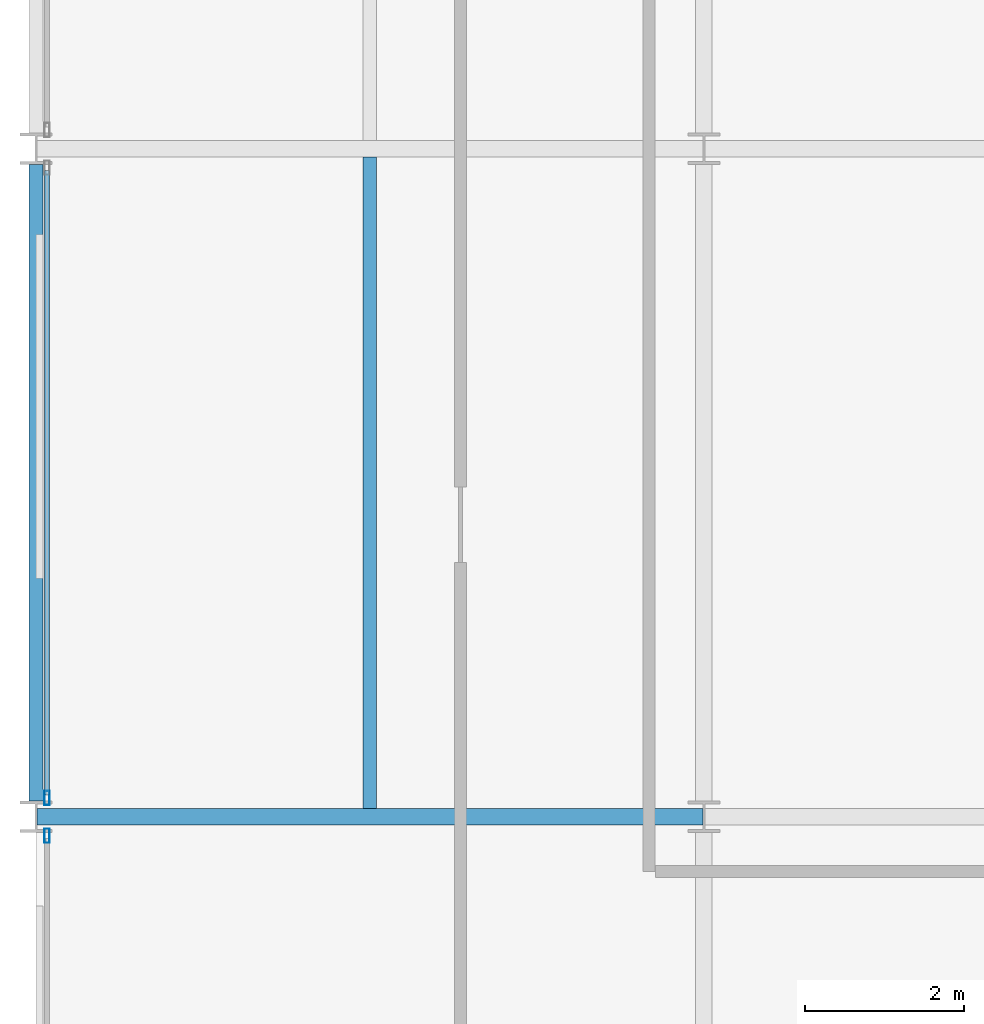
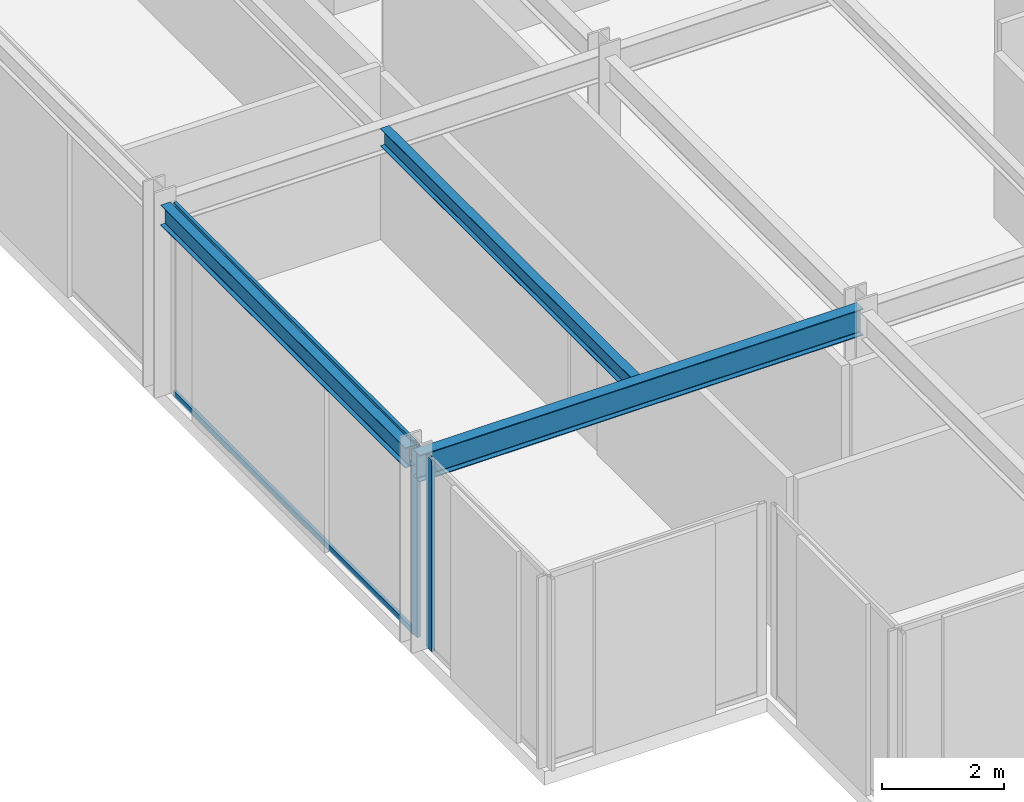
# One storey, part 4 of 29: 4 members, 3 beams, 2 elements without a shape of their own.
"""IFC4 building model written with IfcOpenShell, lengths in metres."""

from ifc_helpers import new_model, si_unit, direction, frame, origin, origin_2d, place, context, subcontext, project, spatial, hollow_rectangle, i_section, extrude, material, layer, layer_set, material_profile, profile_set, type_object, element, aggregate, save


model = new_model("IFC4")

# Units and contexts
model_context = context("Model", 3, precision=1e-05, world=origin(), true_north=direction((0.0, 1.0)))
body_context = subcontext(model_context, "Body", "Model", "MODEL_VIEW")
ifc_project = project(units=[si_unit("LENGTHUNIT", "METRE"), si_unit("AREAUNIT", "SQUARE_METRE"), si_unit("VOLUMEUNIT", "CUBIC_METRE"), si_unit("PLANEANGLEUNIT", "RADIAN"), si_unit("MASSUNIT", "GRAM", prefix="KILO")], contexts=[model_context])

# Site, building, storey
site_placement = place(None, origin())
site = spatial("IfcSite", under=ifc_project, at=site_placement, CompositionType="ELEMENT")
building_placement = place(site_placement, origin())
building = spatial("IfcBuilding", under=site, at=building_placement, Name="Nerrivon Quay Data Exchange", CompositionType="ELEMENT")
storey_placement = place(building_placement, frame((0.0, 0.0, 121.300048828125)))
storey = spatial("IfcBuildingStorey", under=building, at=storey_placement, Name="L28", CompositionType="ELEMENT", Elevation=121.300048828125)

# Beams
ifc_material_1 = material(Name="Steel Grade 350", Category="steel")
ifc_material_profile_1 = material_profile(ifc_material_1, i_section(OverallWidth=0.208984375, OverallDepth=0.532958984375, WebThickness=0.01025390625, FlangeThickness=0.015625, FilletRadius=0.013916015625, at=origin_2d()), Name="530UB92.4")
ifc_profile_set_1 = profile_set([ifc_material_profile_1], Name="Steel Grade 350")
beam_type_1 = type_object("IfcBeamType", Name="BM-G3-530UB92", PredefinedType="BEAM", material=ifc_profile_set_1)
beam_1_placement = place(storey_placement, frame((0.012451171875, 8.39990234375, 3.558349609375), z_axis=(1.0, 0.0, 0.0), x_axis=(0.0, 1.0, 0.0)))
element("IfcBeam", 1, at=beam_1_placement, inside=storey, type_object=beam_type_1, Name="L28 EW Girder Y=8.4 (0.0..8.4)", PredefinedType="BEAM", context=body_context, shape_type="SweptSolid", body=[
    extrude(i_section(OverallWidth=0.208984375, OverallDepth=0.532958984375, WebThickness=0.01025390625, FlangeThickness=0.015625, FilletRadius=0.013916015625, at=origin_2d()), origin(), (0.0, 0.0, 1.0), 8.375),
])
ifc_material_profile_2 = material_profile(ifc_material_1, i_section(OverallWidth=0.1708984375, OverallDepth=0.35595703125, WebThickness=0.00732421875, FlangeThickness=0.011474609375, FilletRadius=0.011474609375, at=origin_2d()), Name="360UB50.7")
ifc_profile_set_2 = profile_set([ifc_material_profile_2], Name="Steel Grade 350")
beam_type_2 = type_object("IfcBeamType", Name="BM-J4-360UB51", PredefinedType="JOIST", material=ifc_profile_set_2)
beam_2_placement = place(storey_placement, frame((4.199951171875, 8.50439453125, 3.64697265625), z_axis=(0.0, 1.0, 0.0), x_axis=(-1.0, 0.0, 0.0)))
element("IfcBeam", 2, at=beam_2_placement, inside=storey, type_object=beam_type_2, Name="L28 Secondary Joist X=4.2 (8.4..16.8)", PredefinedType="JOIST", context=body_context, shape_type="SweptSolid", body=[
    extrude(i_section(OverallWidth=0.1708984375, OverallDepth=0.35595703125, WebThickness=0.00732421875, FlangeThickness=0.011474609375, FilletRadius=0.011474609375, at=origin_2d()), origin(), (0.0, 0.0, 1.0), 8.191162109375),
])
ifc_material_profile_3 = material_profile(ifc_material_1, i_section(OverallWidth=0.177978515625, OverallDepth=0.403076171875, WebThickness=0.007568359375, FlangeThickness=0.010986328125, FilletRadius=0.011474609375, at=origin_2d()), Name="410UB53.7")
ifc_profile_set_3 = profile_set([ifc_material_profile_3], Name="Steel Grade 350")
beam_type_3 = type_object("IfcBeamType", Name="BM-SP2-410UB54", PredefinedType="SPANDREL", material=ifc_profile_set_3)
beam_3_placement = place(storey_placement, frame((0.0, 8.60009765625, 3.62353515625), z_axis=(0.0, 1.0, 0.0), x_axis=(-1.0, 0.0, 0.0)))
element("IfcBeam", 3, at=beam_3_placement, inside=storey, type_object=beam_type_3, Name="L28 NS Girder X=0.0 (8.4..16.8)", PredefinedType="SPANDREL", context=body_context, shape_type="SweptSolid", body=[
    extrude(i_section(OverallWidth=0.177978515625, OverallDepth=0.403076171875, WebThickness=0.007568359375, FlangeThickness=0.010986328125, FilletRadius=0.011474609375, at=origin_2d()), origin(), (0.0, 0.0, 1.0), 8.0),
])

# Curtain wall, member
ifc_material_2 = material(Name="Anodised aluminium 6063-T6", Category="aluminium")
ifc_layer = layer(ifc_material_2, 0.2099609375)
ifc_layer_set = layer_set([ifc_layer], Name="Anodised aluminium 6063-T6")
curtain_wall_type = type_object("IfcCurtainWallType", Name="CW-SYS-02", PredefinedType="NOTDEFINED", material=ifc_layer_set)
curtain_wall_1_placement = place(storey_placement, origin())
curtain_wall_1 = element("IfcCurtainWall", 4, at=curtain_wall_1_placement, inside=storey, type_object=curtain_wall_type, Name="L28 Unitised Curtain Wall 11", PredefinedType="NOTDEFINED")
ifc_material_profile_4 = material_profile(ifc_material_2, hollow_rectangle(XDim=0.06494140625, YDim=0.179931640625, WallThickness=0.00341796875, at=origin_2d()), Name="ALU-MULL-180x65")
ifc_profile_set_4 = profile_set([ifc_material_profile_4], Name="Anodised aluminium 6063-T6")
member_type_1 = type_object("IfcMemberType", Name="CWM-180x65", PredefinedType="MULLION", material=ifc_profile_set_4)
member_1_placement = place(storey_placement, frame((0.139892578125, 8.16259765625, 0.0), z_axis=(0.0, 0.0, 1.0), x_axis=(-1.0, 0.0, 0.0)))
member_1 = element("IfcMember", 5, at=member_1_placement, type_object=member_type_1, Name="CW02 mullion 2", PredefinedType="MULLION", context=body_context, shape_type="SweptSolid", body=[
    extrude(hollow_rectangle(XDim=0.06494140625, YDim=0.179931640625, WallThickness=0.00341796875, at=origin_2d()), origin(), (0.0, 0.0, 1.0), 3.824951171875),
])
aggregate(curtain_wall_1, [member_1])

# Curtain wall, members
curtain_wall_2_placement = place(storey_placement, origin())
curtain_wall_2 = element("IfcCurtainWall", 6, at=curtain_wall_2_placement, inside=storey, type_object=curtain_wall_type, Name="L28 Unitised Curtain Wall 12", PredefinedType="NOTDEFINED")
member_2_placement = place(storey_placement, frame((0.139892578125, 8.637451171875, 0.0), z_axis=(0.0, 0.0, 1.0), x_axis=(-1.0, 0.0, 0.0)))
member_2 = element("IfcMember", 7, at=member_2_placement, type_object=member_type_1, Name="CW02 mullion 1", PredefinedType="MULLION", context=body_context, shape_type="SweptSolid", body=[
    extrude(hollow_rectangle(XDim=0.06494140625, YDim=0.179931640625, WallThickness=0.00341796875, at=origin_2d()), origin(), (0.0, 0.0, 1.0), 3.824951171875),
])
ifc_material_profile_5 = material_profile(ifc_material_2, hollow_rectangle(XDim=0.06005859375, YDim=0.1201171875, WallThickness=0.003173828125, at=origin_2d()), Name="ALU-TRAN-120x60")
ifc_profile_set_5 = profile_set([ifc_material_profile_5], Name="Anodised aluminium 6063-T6")
member_type_2 = type_object("IfcMemberType", Name="CWT-120x60", PredefinedType="USERDEFINED", material=ifc_profile_set_5)
member_3_placement = place(storey_placement, frame((0.139892578125, 8.675048828125, 0.032470703125), z_axis=(0.0, 1.0, 0.0), x_axis=(-1.0, 0.0, 0.0)))
member_3 = element("IfcMember", 8, at=member_3_placement, type_object=member_type_2, Name="CW02 transom 1.1", ObjectType="TRANSOM", PredefinedType="USERDEFINED", context=body_context, shape_type="SweptSolid", body=[
    extrude(hollow_rectangle(XDim=0.06005859375, YDim=0.1201171875, WallThickness=0.003173828125, at=origin_2d()), origin(), (0.0, 0.0, 1.0), 7.849853515625),
])
member_4_placement = place(storey_placement, frame((0.139892578125, 8.675048828125, 3.79248046875), z_axis=(0.0, 1.0, 0.0), x_axis=(-1.0, 0.0, 0.0)))
member_4 = element("IfcMember", 9, at=member_4_placement, type_object=member_type_2, Name="CW02 transom 1.2", ObjectType="TRANSOM", PredefinedType="USERDEFINED", context=body_context, shape_type="SweptSolid", body=[
    extrude(hollow_rectangle(XDim=0.06005859375, YDim=0.1201171875, WallThickness=0.003173828125, at=origin_2d()), origin(), (0.0, 0.0, 1.0), 7.849853515625),
])
aggregate(curtain_wall_2, [member_2, member_3, member_4])

save(model, "model.ifc")
